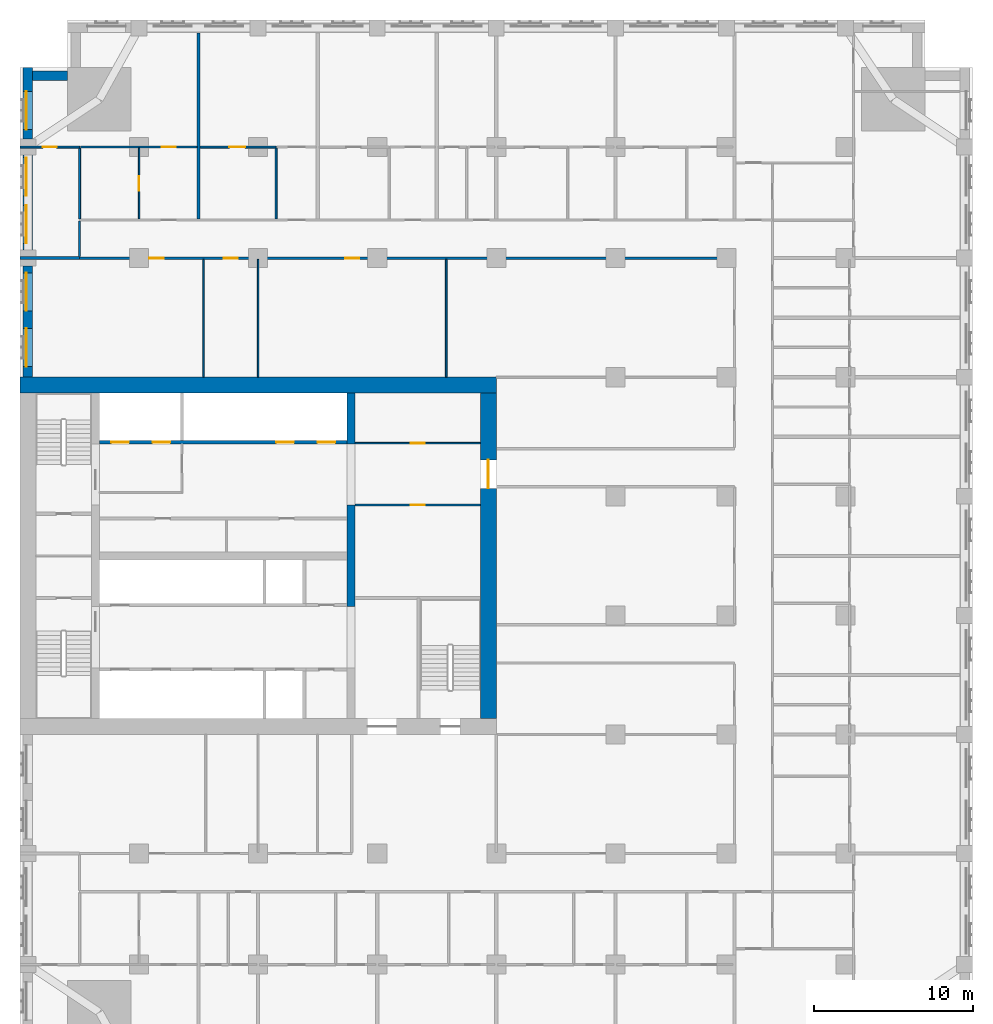
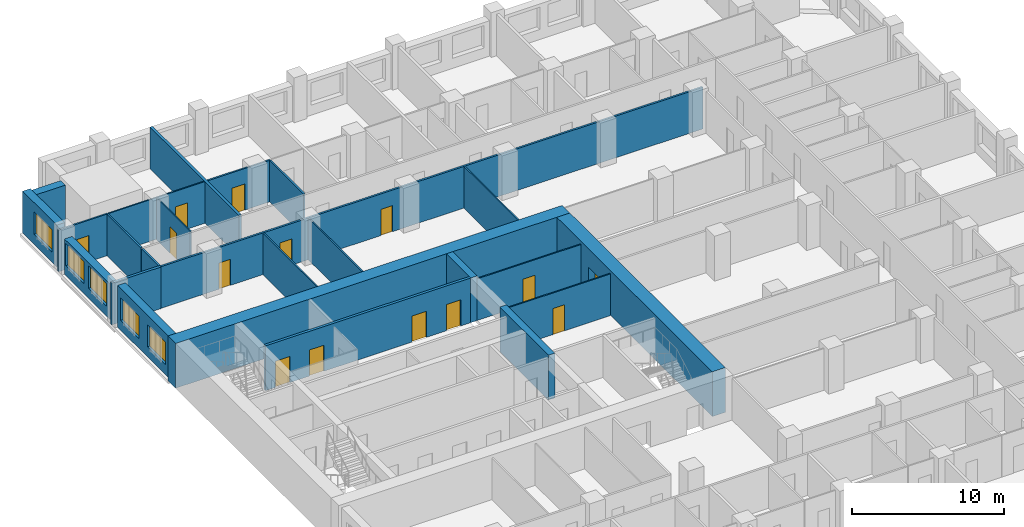
# One storey, part 8 of 14: 24 walls, 14 doors, 5 windows, 19 openings.
"""IFC4 building model written with IfcOpenShell, lengths in metres."""

from ifc_helpers import new_model, si_unit, direction, frame, frame_2d, origin, place, context, subcontext, project, spatial, rectangle, extrude, material, layer, layer_set, type_object, element, fill, save


model = new_model("IFC4")

# Units and contexts
model_context = context("Model", 3, precision=1e-05, world=origin(), true_north=direction((0.0, 1.0)))
body_context = subcontext(model_context, "Body", "Model", "MODEL_VIEW")
ifc_project = project(units=[si_unit("LENGTHUNIT", "METRE"), si_unit("AREAUNIT", "SQUARE_METRE"), si_unit("VOLUMEUNIT", "CUBIC_METRE"), si_unit("PLANEANGLEUNIT", "RADIAN"), si_unit("MASSUNIT", "GRAM", prefix="KILO")], contexts=[model_context])

# Site, building, storey
site_placement = place(None, origin())
site = spatial("IfcSite", under=ifc_project, at=site_placement, CompositionType="ELEMENT")
building_placement = place(site_placement, origin())
building = spatial("IfcBuilding", under=site, at=building_placement, Name="Tamorin Gate", CompositionType="ELEMENT")
storey_placement = place(building_placement, frame((0.0, 0.0, 59.199951171875)))
storey = spatial("IfcBuildingStorey", under=building, at=storey_placement, Name="L13", CompositionType="ELEMENT", Elevation=59.199951171875)

# Wall
ifc_material_1 = material(Name="Precast concrete C40/50", Category="concrete")
ifc_layer_1 = layer(ifc_material_1, 0.60009765625)
ifc_layer_set_1 = layer_set([ifc_layer_1], Name="Precast concrete C40/50")
wall_type_1 = type_object("IfcWallType", Name="Board-marked concrete facade panel 600", PredefinedType="SOLIDWALL", material=ifc_layer_set_1)
wall_1_placement = place(storey_placement, frame((33.0, 101.5, 0.0), z_axis=(0.0, 0.0, 1.0), x_axis=(-1.0, 0.0, 0.0)))
element("IfcWall", 1, at=wall_1_placement, inside=storey, type_object=wall_type_1, Name="Facade panel", PredefinedType="SOLIDWALL", context=body_context, shape_type="SweptSolid", body=[
    extrude(rectangle(XDim=2.199951171875, YDim=0.60009765625, at=frame_2d((1.10009765625, 0.0))), origin(), (0.0, 0.0, 1.0), 3.35009765625),
])

# Wall, opening, window
wall_2_placement = place(storey_placement, frame((30.5, 102.0, 0.0), z_axis=(0.0, 0.0, 1.0), x_axis=(0.0, -1.0, 0.0)))
wall_2 = element("IfcWall", 2, at=wall_2_placement, inside=storey, type_object=wall_type_1, Name="Facade panel", PredefinedType="SOLIDWALL", context=body_context, shape_type="SweptSolid", body=[
    extrude(rectangle(XDim=4.5, YDim=0.60009765625, at=frame_2d((2.25, 0.0))), origin(), (0.0, 0.0, 1.0), 3.35009765625),
])
opening_1_placement = place(wall_2_placement, frame((1.5, 0.0, 0.800048828125)))
opening_1 = element("IfcOpeningElement", 3, at=opening_1_placement, cuts=wall_2, Name="Opening WN1", PredefinedType="OPENING", context=body_context, shape_type="SweptSolid", body=[
    extrude(rectangle(XDim=2.39990234375, YDim=1.800048828125, at=frame_2d((1.199951171875, 0.89990234375))), frame((0.0, 0.31005859375, 0.0), z_axis=(0.0, -1.0, 0.0), x_axis=(1.0, 0.0, 0.0)), (0.0, 0.0, 1.0), 0.6201171875),
])
ifc_material_2 = material(Name="Clear glass in aluminium frame", Category="aluminium")
window_type = type_object("IfcWindowType", Name="Deep-set window 2400x1800", PartitioningType="SINGLE_PANEL", PredefinedType="WINDOW", material=ifc_material_2)
window_1_placement = place(opening_1_placement, origin())
window_1 = element("IfcWindow", 4, at=window_1_placement, inside=storey, type_object=window_type, Name="Deep-set window", OverallHeight=1.800048828125, OverallWidth=2.39990234375, PartitioningType="SINGLE_PANEL", PredefinedType="WINDOW", context=body_context, shape_type="SweptSolid", body=[
    extrude(rectangle(XDim=2.39990234375, YDim=1.800048828125, at=frame_2d((1.199951171875, 0.89990234375))), frame((0.0, -0.070068359375, 0.0), z_axis=(0.0, -1.0, 0.0), x_axis=(1.0, 0.0, 0.0)), (0.0, 0.0, 1.0), 0.06005859375),
])
fill(opening_1, window_1)

# Wall, openings, windows
wall_3_placement = place(storey_placement, frame((30.5, 96.5, 0.0), z_axis=(0.0, 0.0, 1.0), x_axis=(0.0, -1.0, 0.0)))
wall_3 = element("IfcWall", 5, at=wall_3_placement, inside=storey, type_object=wall_type_1, Name="Facade panel", PredefinedType="SOLIDWALL", context=body_context, shape_type="SweptSolid", body=[
    extrude(rectangle(XDim=6.0, YDim=0.60009765625, at=frame_2d((3.0, 0.0))), origin(), (0.0, 0.0, 1.0), 2.85009765625),
])
opening_2_placement = place(wall_3_placement, frame((3.175048828125, 0.0, 0.800048828125)))
opening_2 = element("IfcOpeningElement", 6, at=opening_2_placement, cuts=wall_3, Name="Opening WN1", PredefinedType="OPENING", context=body_context, shape_type="SweptSolid", body=[
    extrude(rectangle(XDim=2.39990234375, YDim=1.800048828125, at=frame_2d((1.199951171875, 0.89990234375))), frame((0.0, 0.31005859375, 0.0), z_axis=(0.0, -1.0, 0.0), x_axis=(1.0, 0.0, 0.0)), (0.0, 0.0, 1.0), 0.6201171875),
])
opening_3_placement = place(wall_3_placement, frame((0.175048828125, 0.0, 0.800048828125)))
opening_3 = element("IfcOpeningElement", 7, at=opening_3_placement, cuts=wall_3, Name="Opening WN1", PredefinedType="OPENING", context=body_context, shape_type="SweptSolid", body=[
    extrude(rectangle(XDim=2.39990234375, YDim=1.800048828125, at=frame_2d((1.199951171875, 0.89990234375))), frame((0.0, 0.31005859375, 0.0), z_axis=(0.0, -1.0, 0.0), x_axis=(1.0, 0.0, 0.0)), (0.0, 0.0, 1.0), 0.6201171875),
])
window_2_placement = place(opening_2_placement, origin())
window_2 = element("IfcWindow", 8, at=window_2_placement, inside=storey, type_object=window_type, Name="Deep-set window", OverallHeight=1.800048828125, OverallWidth=2.39990234375, PartitioningType="SINGLE_PANEL", PredefinedType="WINDOW", context=body_context, shape_type="SweptSolid", body=[
    extrude(rectangle(XDim=2.39990234375, YDim=1.800048828125, at=frame_2d((1.199951171875, 0.89990234375))), frame((0.0, -0.070068359375, 0.0), z_axis=(0.0, -1.0, 0.0), x_axis=(1.0, 0.0, 0.0)), (0.0, 0.0, 1.0), 0.06005859375),
])
fill(opening_2, window_2)
window_3_placement = place(opening_3_placement, origin())
window_3 = element("IfcWindow", 9, at=window_3_placement, inside=storey, type_object=window_type, Name="Deep-set window", OverallHeight=1.800048828125, OverallWidth=2.39990234375, PartitioningType="SINGLE_PANEL", PredefinedType="WINDOW", context=body_context, shape_type="SweptSolid", body=[
    extrude(rectangle(XDim=2.39990234375, YDim=1.800048828125, at=frame_2d((1.199951171875, 0.89990234375))), frame((0.0, -0.070068359375, 0.0), z_axis=(0.0, -1.0, 0.0), x_axis=(1.0, 0.0, 0.0)), (0.0, 0.0, 1.0), 0.06005859375),
])
fill(opening_3, window_3)

wall_4_placement = place(storey_placement, frame((30.5, 89.5, 0.0), z_axis=(0.0, 0.0, 1.0), x_axis=(0.0, -1.0, 0.0)))
wall_4 = element("IfcWall", 10, at=wall_4_placement, inside=storey, type_object=wall_type_1, Name="Facade panel", PredefinedType="SOLIDWALL", context=body_context, shape_type="SweptSolid", body=[
    extrude(rectangle(XDim=7.0, YDim=0.60009765625, at=frame_2d((3.5, 0.0))), origin(), (0.0, 0.0, 1.0), 3.35009765625),
])
opening_4_placement = place(wall_4_placement, frame((3.925048828125, 0.0, 0.800048828125)))
opening_4 = element("IfcOpeningElement", 11, at=opening_4_placement, cuts=wall_4, Name="Opening WN1", PredefinedType="OPENING", context=body_context, shape_type="SweptSolid", body=[
    extrude(rectangle(XDim=2.39990234375, YDim=1.800048828125, at=frame_2d((1.199951171875, 0.89990234375))), frame((0.0, 0.31005859375, 0.0), z_axis=(0.0, -1.0, 0.0), x_axis=(1.0, 0.0, 0.0)), (0.0, 0.0, 1.0), 0.6201171875),
])
opening_5_placement = place(wall_4_placement, frame((0.425048828125, 0.0, 0.800048828125)))
opening_5 = element("IfcOpeningElement", 12, at=opening_5_placement, cuts=wall_4, Name="Opening WN1", PredefinedType="OPENING", context=body_context, shape_type="SweptSolid", body=[
    extrude(rectangle(XDim=2.39990234375, YDim=1.800048828125, at=frame_2d((1.199951171875, 0.89990234375))), frame((0.0, 0.31005859375, 0.0), z_axis=(0.0, -1.0, 0.0), x_axis=(1.0, 0.0, 0.0)), (0.0, 0.0, 1.0), 0.6201171875),
])
window_4_placement = place(opening_4_placement, origin())
window_4 = element("IfcWindow", 13, at=window_4_placement, inside=storey, type_object=window_type, Name="Deep-set window", OverallHeight=1.800048828125, OverallWidth=2.39990234375, PartitioningType="SINGLE_PANEL", PredefinedType="WINDOW", context=body_context, shape_type="SweptSolid", body=[
    extrude(rectangle(XDim=2.39990234375, YDim=1.800048828125, at=frame_2d((1.199951171875, 0.89990234375))), frame((0.0, -0.070068359375, 0.0), z_axis=(0.0, -1.0, 0.0), x_axis=(1.0, 0.0, 0.0)), (0.0, 0.0, 1.0), 0.06005859375),
])
fill(opening_4, window_4)
window_5_placement = place(opening_5_placement, origin())
window_5 = element("IfcWindow", 14, at=window_5_placement, inside=storey, type_object=window_type, Name="Deep-set window", OverallHeight=1.800048828125, OverallWidth=2.39990234375, PartitioningType="SINGLE_PANEL", PredefinedType="WINDOW", context=body_context, shape_type="SweptSolid", body=[
    extrude(rectangle(XDim=2.39990234375, YDim=1.800048828125, at=frame_2d((1.199951171875, 0.89990234375))), frame((0.0, -0.070068359375, 0.0), z_axis=(0.0, -1.0, 0.0), x_axis=(1.0, 0.0, 0.0)), (0.0, 0.0, 1.0), 0.06005859375),
])
fill(opening_5, window_5)

# Wall, openings, doors
ifc_material_3 = material(Name="Gypsum board partition")
ifc_layer_2 = layer(ifc_material_3, 0.14990234375)
ifc_layer_set_2 = layer_set([ifc_layer_2], Name="Corridor wall 150")
wall_type_2 = type_object("IfcWallType", Name="Corridor wall 150", PredefinedType="PARTITIONING", material=ifc_layer_set_2)
wall_5_placement = place(storey_placement, frame((33.75, 90.0, 0.0), z_axis=(0.0, 0.0, 1.0), x_axis=(1.0, 0.0, 0.0)))
wall_5 = element("IfcWall", 15, at=wall_5_placement, inside=storey, type_object=wall_type_2, Name="Corridor wall 150", PredefinedType="PARTITIONING", context=body_context, shape_type="SweptSolid", body=[
    extrude(rectangle(XDim=41.25, YDim=0.14990234375, at=frame_2d((20.625, 0.0))), origin(), (0.0, 0.0, 1.0), 3.35009765625),
])
opening_6_placement = place(wall_5_placement, frame((4.39990234375, 0.0, 0.0)))
opening_6 = element("IfcOpeningElement", 16, at=opening_6_placement, cuts=wall_5, Name="Opening DH4077", PredefinedType="OPENING", context=body_context, shape_type="SweptSolid", body=[
    extrude(rectangle(XDim=0.89990234375, YDim=2.10009765625, at=frame_2d((0.449951171875, 1.050048828125))), frame((0.0, 0.0849609375, 0.0), z_axis=(0.0, -1.0, 0.0), x_axis=(1.0, 0.0, 0.0)), (0.0, 0.0, 1.0), 0.169921875),
])
opening_7_placement = place(wall_5_placement, frame((9.074951171875, 0.0, 0.0)))
opening_7 = element("IfcOpeningElement", 17, at=opening_7_placement, cuts=wall_5, Name="Opening DH4078", PredefinedType="OPENING", context=body_context, shape_type="SweptSolid", body=[
    extrude(rectangle(XDim=0.89990234375, YDim=2.10009765625, at=frame_2d((0.449951171875, 1.050048828125))), frame((0.0, 0.0849609375, 0.0), z_axis=(0.0, -1.0, 0.0), x_axis=(1.0, 0.0, 0.0)), (0.0, 0.0, 1.0), 0.169921875),
])
opening_8_placement = place(wall_5_placement, frame((16.72509765625, 0.0, 0.0)))
opening_8 = element("IfcOpeningElement", 18, at=opening_8_placement, cuts=wall_5, Name="Opening DH4079", PredefinedType="OPENING", context=body_context, shape_type="SweptSolid", body=[
    extrude(rectangle(XDim=0.89990234375, YDim=2.10009765625, at=frame_2d((0.449951171875, 1.050048828125))), frame((0.0, 0.0849609375, 0.0), z_axis=(0.0, -1.0, 0.0), x_axis=(1.0, 0.0, 0.0)), (0.0, 0.0, 1.0), 0.169921875),
])
ifc_material_4 = material(Name="Timber door leaf", Category="wood")
door_type_1 = type_object("IfcDoorType", Name="Door 900 x 2100 FD30S", OperationType="NOTDEFINED", PredefinedType="DOOR", material=ifc_material_4)
door_1_placement = place(opening_6_placement, origin())
door_1 = element("IfcDoor", 19, at=door_1_placement, inside=storey, type_object=door_type_1, Name="Door DH4077", OperationType="SINGLE_SWING_LEFT", OverallHeight=2.10009765625, OverallWidth=0.89990234375, PredefinedType="DOOR", context=body_context, shape_type="SweptSolid", body=[
    extrude(rectangle(XDim=0.89990234375, YDim=2.10009765625, at=frame_2d((0.449951171875, 1.050048828125))), frame((0.0, 0.02490234375, 0.0), z_axis=(0.0, -1.0, 0.0), x_axis=(1.0, 0.0, 0.0)), (0.0, 0.0, 1.0), 0.050048828125),
])
fill(opening_6, door_1)
door_2_placement = place(opening_7_placement, origin())
door_2 = element("IfcDoor", 20, at=door_2_placement, inside=storey, type_object=door_type_1, Name="Door DH4078", OperationType="SINGLE_SWING_RIGHT", OverallHeight=2.10009765625, OverallWidth=0.89990234375, PredefinedType="DOOR", context=body_context, shape_type="SweptSolid", body=[
    extrude(rectangle(XDim=0.89990234375, YDim=2.10009765625, at=frame_2d((0.449951171875, 1.050048828125))), frame((0.0, 0.02490234375, 0.0), z_axis=(0.0, -1.0, 0.0), x_axis=(1.0, 0.0, 0.0)), (0.0, 0.0, 1.0), 0.050048828125),
])
fill(opening_7, door_2)
door_3_placement = place(opening_8_placement, origin())
door_3 = element("IfcDoor", 21, at=door_3_placement, inside=storey, type_object=door_type_1, Name="Door DH4079", OperationType="SINGLE_SWING_RIGHT", OverallHeight=2.10009765625, OverallWidth=0.89990234375, PredefinedType="DOOR", context=body_context, shape_type="SweptSolid", body=[
    extrude(rectangle(XDim=0.89990234375, YDim=2.10009765625, at=frame_2d((0.449951171875, 1.050048828125))), frame((0.0, 0.02490234375, 0.0), z_axis=(0.0, -1.0, 0.0), x_axis=(1.0, 0.0, 0.0)), (0.0, 0.0, 1.0), 0.050048828125),
])
fill(opening_8, door_3)

# Walls
wall_6_placement = place(storey_placement, frame((33.75, 90.10009765625, 0.0), z_axis=(0.0, 0.0, 1.0), x_axis=(0.0, 1.0, 0.0)))
element("IfcWall", 22, at=wall_6_placement, inside=storey, type_object=wall_type_2, Name="Corridor wall 150", PredefinedType="PARTITIONING", context=body_context, shape_type="SweptSolid", body=[
    extrude(rectangle(XDim=2.224853515625, YDim=0.14990234375, at=frame_2d((1.1123046875, 0.0))), origin(), (0.0, 0.0, 1.0), 3.35009765625),
])
ifc_layer_3 = layer(ifc_material_3, 0.199951171875)
ifc_layer_set_3 = layer_set([ifc_layer_3], Name="Demising wall 200")
wall_type_3 = type_object("IfcWallType", Name="Demising wall 200", PredefinedType="PARTITIONING", material=ifc_layer_set_3)
wall_7_placement = place(storey_placement, frame((30.0, 90.0, 0.0), z_axis=(0.0, 0.0, 1.0), x_axis=(1.0, 0.0, 0.0)))
element("IfcWall", 23, at=wall_7_placement, inside=storey, type_object=wall_type_3, Name="Demising wall 200", PredefinedType="PARTITIONING", context=body_context, shape_type="SweptSolid", body=[
    extrude(rectangle(XDim=3.75, YDim=0.199951171875, at=frame_2d((1.875, 0.0))), origin(), (0.0, 0.0, 1.0), 3.35009765625),
])
wall_8_placement = place(storey_placement, frame((41.25, 92.47509765625, 0.0), z_axis=(0.0, 0.0, 1.0), x_axis=(0.0, 1.0, 0.0)))
element("IfcWall", 24, at=wall_8_placement, inside=storey, type_object=wall_type_3, Name="Demising wall 200", PredefinedType="PARTITIONING", context=body_context, shape_type="SweptSolid", body=[
    extrude(rectangle(XDim=11.71484375, YDim=0.199951171875, at=frame_2d((5.857421875, 0.0))), origin(), (0.0, 0.0, 1.0), 3.35009765625),
])

# Wall, openings, doors
ifc_material_5 = material(Name="Concrete C32/40", Category="concrete")
ifc_layer_4 = layer(ifc_material_5, 0.199951171875)
ifc_layer_set_4 = layer_set([ifc_layer_4], Name="Lift lobby face wall 200 EI 120")
wall_type_4 = type_object("IfcWallType", Name="Lift lobby face wall 200 EI 120", PredefinedType="SOLIDWALL", material=ifc_layer_set_4)
wall_9_placement = place(storey_placement, frame((35.0, 78.39990234375, 0.0), z_axis=(0.0, 0.0, 1.0), x_axis=(1.0, 0.0, 0.0)))
wall_9 = element("IfcWall", 25, at=wall_9_placement, inside=storey, type_object=wall_type_4, Name="Lift lobby face wall", PredefinedType="SOLIDWALL", context=body_context, shape_type="SweptSolid", body=[
    extrude(rectangle(XDim=15.60009765625, YDim=0.199951171875, at=frame_2d((7.800048828125, 0.0))), origin(), (0.0, 0.0, 1.0), 3.60009765625),
])
opening_9_placement = place(wall_9_placement, frame((0.75, 0.0, 0.0)))
opening_9 = element("IfcOpeningElement", 26, at=opening_9_placement, cuts=wall_9, Name="Opening LD17", PredefinedType="OPENING", context=body_context, shape_type="SweptSolid", body=[
    extrude(rectangle(XDim=1.10009765625, YDim=2.10009765625, at=frame_2d((0.550048828125, 1.050048828125))), frame((0.0, 0.10986328125, 0.0), z_axis=(0.0, -1.0, 0.0), x_axis=(1.0, 0.0, 0.0)), (0.0, 0.0, 1.0), 0.219970703125),
])
opening_10_placement = place(wall_9_placement, frame((3.35009765625, 0.0, 0.0)))
opening_10 = element("IfcOpeningElement", 27, at=opening_10_placement, cuts=wall_9, Name="Opening LD18", PredefinedType="OPENING", context=body_context, shape_type="SweptSolid", body=[
    extrude(rectangle(XDim=1.10009765625, YDim=2.10009765625, at=frame_2d((0.550048828125, 1.050048828125))), frame((0.0, 0.10986328125, 0.0), z_axis=(0.0, -1.0, 0.0), x_axis=(1.0, 0.0, 0.0)), (0.0, 0.0, 1.0), 0.219970703125),
])
opening_11_placement = place(wall_9_placement, frame((11.14990234375, 0.0, 0.0)))
opening_11 = element("IfcOpeningElement", 28, at=opening_11_placement, cuts=wall_9, Name="Opening LD21", PredefinedType="OPENING", context=body_context, shape_type="SweptSolid", body=[
    extrude(rectangle(XDim=1.10009765625, YDim=2.10009765625, at=frame_2d((0.550048828125, 1.050048828125))), frame((0.0, 0.10986328125, 0.0), z_axis=(0.0, -1.0, 0.0), x_axis=(1.0, 0.0, 0.0)), (0.0, 0.0, 1.0), 0.219970703125),
])
opening_12_placement = place(wall_9_placement, frame((13.75, 0.0, 0.0)))
opening_12 = element("IfcOpeningElement", 29, at=opening_12_placement, cuts=wall_9, Name="Opening LD22", PredefinedType="OPENING", context=body_context, shape_type="SweptSolid", body=[
    extrude(rectangle(XDim=1.10009765625, YDim=2.10009765625, at=frame_2d((0.550048828125, 1.050048828125))), frame((0.0, 0.10986328125, 0.0), z_axis=(0.0, -1.0, 0.0), x_axis=(1.0, 0.0, 0.0)), (0.0, 0.0, 1.0), 0.219970703125),
])
ifc_material_6 = material(Name="Stainless steel sliding door", Category="steel")
door_type_2 = type_object("IfcDoorType", Name="Lift landing door 1100 x 2100 E 90", OperationType="DOUBLE_DOOR_SLIDING", PredefinedType="DOOR", material=ifc_material_6)
door_4_placement = place(opening_9_placement, origin())
door_4 = element("IfcDoor", 30, at=door_4_placement, inside=storey, type_object=door_type_2, Name="FF1 landing door", OperationType="DOUBLE_DOOR_SLIDING", OverallHeight=2.10009765625, OverallWidth=1.10009765625, PredefinedType="DOOR", context=body_context, shape_type="SweptSolid", body=[
    extrude(rectangle(XDim=1.10009765625, YDim=2.10009765625, at=frame_2d((0.550048828125, 1.050048828125))), frame((0.0, 0.02490234375, 0.0), z_axis=(0.0, -1.0, 0.0), x_axis=(1.0, 0.0, 0.0)), (0.0, 0.0, 1.0), 0.050048828125),
])
fill(opening_9, door_4)
door_5_placement = place(opening_10_placement, origin())
door_5 = element("IfcDoor", 31, at=door_5_placement, inside=storey, type_object=door_type_2, Name="FF2 landing door", OperationType="DOUBLE_DOOR_SLIDING", OverallHeight=2.10009765625, OverallWidth=1.10009765625, PredefinedType="DOOR", context=body_context, shape_type="SweptSolid", body=[
    extrude(rectangle(XDim=1.10009765625, YDim=2.10009765625, at=frame_2d((0.550048828125, 1.050048828125))), frame((0.0, 0.02490234375, 0.0), z_axis=(0.0, -1.0, 0.0), x_axis=(1.0, 0.0, 0.0)), (0.0, 0.0, 1.0), 0.050048828125),
])
fill(opening_10, door_5)
door_6_placement = place(opening_11_placement, origin())
door_6 = element("IfcDoor", 32, at=door_6_placement, inside=storey, type_object=door_type_2, Name="SV1 landing door", OperationType="DOUBLE_DOOR_SLIDING", OverallHeight=2.10009765625, OverallWidth=1.10009765625, PredefinedType="DOOR", context=body_context, shape_type="SweptSolid", body=[
    extrude(rectangle(XDim=1.10009765625, YDim=2.10009765625, at=frame_2d((0.550048828125, 1.050048828125))), frame((0.0, 0.02490234375, 0.0), z_axis=(0.0, -1.0, 0.0), x_axis=(1.0, 0.0, 0.0)), (0.0, 0.0, 1.0), 0.050048828125),
])
fill(opening_11, door_6)
door_7_placement = place(opening_12_placement, origin())
door_7 = element("IfcDoor", 33, at=door_7_placement, inside=storey, type_object=door_type_2, Name="SV2 landing door", OperationType="DOUBLE_DOOR_SLIDING", OverallHeight=2.10009765625, OverallWidth=1.10009765625, PredefinedType="DOOR", context=body_context, shape_type="SweptSolid", body=[
    extrude(rectangle(XDim=1.10009765625, YDim=2.10009765625, at=frame_2d((0.550048828125, 1.050048828125))), frame((0.0, 0.02490234375, 0.0), z_axis=(0.0, -1.0, 0.0), x_axis=(1.0, 0.0, 0.0)), (0.0, 0.0, 1.0), 0.050048828125),
])
fill(opening_12, door_7)

# Walls
ifc_material_7 = material(Name="Concrete C80/95", Category="concrete")
ifc_layer_5 = layer(ifc_material_7, 0.5)
ifc_layer_set_5 = layer_set([ifc_layer_5], Name="RC core internal wall 500 C80/95")
wall_type_5 = type_object("IfcWallType", Name="RC core internal wall 500 C80/95", PredefinedType="SHEAR", material=ifc_layer_set_5)
wall_10_placement = place(storey_placement, frame((50.85009765625, 68.050048828125, 0.0), z_axis=(0.0, 0.0, 1.0), x_axis=(0.0, 1.0, 0.0)))
element("IfcWall", 34, at=wall_10_placement, inside=storey, type_object=wall_type_5, Name="Core cross wall L13", PredefinedType="SHEAR", context=body_context, shape_type="SweptSolid", body=[
    extrude(rectangle(XDim=6.39990234375, YDim=0.5, at=frame_2d((3.199951171875, 0.0))), origin(), (0.0, 0.0, 1.0), 3.60009765625),
])
wall_11_placement = place(storey_placement, frame((50.85009765625, 78.300048828125, 0.0), z_axis=(0.0, 0.0, 1.0), x_axis=(0.0, 1.0, 0.0)))
element("IfcWall", 35, at=wall_11_placement, inside=storey, type_object=wall_type_5, Name="Core cross wall L13", PredefinedType="SHEAR", context=body_context, shape_type="SweptSolid", body=[
    extrude(rectangle(XDim=3.199951171875, YDim=0.5, at=frame_2d((1.60009765625, 0.0))), origin(), (0.0, 0.0, 1.0), 3.60009765625),
])
ifc_layer_6 = layer(ifc_material_7, 1.0)
ifc_layer_set_6 = layer_set([ifc_layer_6], Name="RC core wall 1000 C80/95")
wall_type_6 = type_object("IfcWallType", Name="RC core wall 1000 C80/95", PredefinedType="SHEAR", material=ifc_layer_set_6)
wall_12_placement = place(storey_placement, frame((30.0, 82.0, 0.0), z_axis=(0.0, 0.0, 1.0), x_axis=(1.0, 0.0, 0.0)))
element("IfcWall", 36, at=wall_12_placement, inside=storey, type_object=wall_type_6, Name="Core wall L13", PredefinedType="SHEAR", context=body_context, shape_type="SweptSolid", body=[
    extrude(rectangle(XDim=30.0, YDim=1.0, at=frame_2d((15.0, 0.0))), origin(), (0.0, 0.0, 1.0), 3.60009765625),
])

# Wall, opening, door
wall_13_placement = place(storey_placement, frame((59.5, 61.0, 0.0), z_axis=(0.0, 0.0, 1.0), x_axis=(0.0, 1.0, 0.0)))
wall_13 = element("IfcWall", 37, at=wall_13_placement, inside=storey, type_object=wall_type_6, Name="Core wall L13", PredefinedType="SHEAR", context=body_context, shape_type="SweptSolid", body=[
    extrude(rectangle(XDim=20.5, YDim=1.0, at=frame_2d((10.25, 0.0))), origin(), (0.0, 0.0, 1.0), 3.60009765625),
])
opening_13_placement = place(wall_13_placement, frame((14.5, 0.0, 0.0)))
opening_13 = element("IfcOpeningElement", 38, at=opening_13_placement, cuts=wall_13, Name="Opening DE1", PredefinedType="OPENING", context=body_context, shape_type="SweptSolid", body=[
    extrude(rectangle(XDim=1.800048828125, YDim=2.10009765625, at=frame_2d((0.89990234375, 1.050048828125))), frame((0.0, 0.510009765625, 0.0), z_axis=(0.0, -1.0, 0.0), x_axis=(1.0, 0.0, 0.0)), (0.0, 0.0, 1.0), 1.02001953125),
])
ifc_material_8 = material(Name="Steel fire door", Category="steel")
door_type_3 = type_object("IfcDoorType", Name="Lobby exit double door 1800 x 2100 EI 60", OperationType="DOUBLE_DOOR_SINGLE_SWING", PredefinedType="DOOR", material=ifc_material_8)
door_8_placement = place(opening_13_placement, origin())
door_8 = element("IfcDoor", 39, at=door_8_placement, inside=storey, type_object=door_type_3, Name="Lift lobby B exit door", OperationType="DOUBLE_DOOR_SINGLE_SWING", OverallHeight=2.10009765625, OverallWidth=1.800048828125, PredefinedType="DOOR", context=body_context, shape_type="SweptSolid", body=[
    extrude(rectangle(XDim=1.800048828125, YDim=2.10009765625, at=frame_2d((0.89990234375, 1.050048828125))), frame((0.0, 0.02490234375, 0.0), z_axis=(0.0, -1.0, 0.0), x_axis=(1.0, 0.0, 0.0)), (0.0, 0.0, 1.0), 0.050048828125),
])
fill(opening_13, door_8)

ifc_layer_7 = layer(ifc_material_3, 0.10009765625)
ifc_layer_set_7 = layer_set([ifc_layer_7], Name="Room partition 100")
wall_type_7 = type_object("IfcWallType", Name="Room partition 100", PredefinedType="PARTITIONING", material=ifc_layer_set_7)
wall_14_placement = place(storey_placement, frame((33.8125, 97.0, 0.0), z_axis=(0.0, 0.0, 1.0), x_axis=(1.0, 0.0, 0.0)))
wall_14 = element("IfcWall", 40, at=wall_14_placement, inside=storey, type_object=wall_type_7, Name="Room partition 100", PredefinedType="PARTITIONING", context=body_context, shape_type="SweptSolid", body=[
    extrude(rectangle(XDim=7.33740234375, YDim=0.10009765625, at=frame_2d((3.668701171875, 0.0))), origin(), (0.0, 0.0, 1.0), 3.35009765625),
])
opening_14_placement = place(wall_14_placement, frame((5.112548828125, 0.0, 0.0)))
opening_14 = element("IfcOpeningElement", 41, at=opening_14_placement, cuts=wall_14, Name="Opening DH4023", PredefinedType="OPENING", context=body_context, shape_type="SweptSolid", body=[
    extrude(rectangle(XDim=0.89990234375, YDim=2.10009765625, at=frame_2d((0.449951171875, 1.050048828125))), frame((0.0, 0.06005859375, 0.0), z_axis=(0.0, -1.0, 0.0), x_axis=(1.0, 0.0, 0.0)), (0.0, 0.0, 1.0), 0.1201171875),
])
door_type_4 = type_object("IfcDoorType", Name="Door 900 x 2100", OperationType="NOTDEFINED", PredefinedType="DOOR", material=ifc_material_4)
door_9_placement = place(opening_14_placement, origin())
door_9 = element("IfcDoor", 42, at=door_9_placement, inside=storey, type_object=door_type_4, Name="Door DH4023", OperationType="SINGLE_SWING_RIGHT", OverallHeight=2.10009765625, OverallWidth=0.89990234375, PredefinedType="DOOR", context=body_context, shape_type="SweptSolid", body=[
    extrude(rectangle(XDim=0.89990234375, YDim=2.10009765625, at=frame_2d((0.449951171875, 1.050048828125))), frame((0.0, 0.02490234375, 0.0), z_axis=(0.0, -1.0, 0.0), x_axis=(1.0, 0.0, 0.0)), (0.0, 0.0, 1.0), 0.050048828125),
])
fill(opening_14, door_9)

wall_15_placement = place(storey_placement, frame((37.5, 92.47509765625, 0.0), z_axis=(0.0, 0.0, 1.0), x_axis=(0.0, 1.0, 0.0)))
wall_15 = element("IfcWall", 43, at=wall_15_placement, inside=storey, type_object=wall_type_7, Name="Room partition 100", PredefinedType="PARTITIONING", context=body_context, shape_type="SweptSolid", body=[
    extrude(rectangle(XDim=4.474853515625, YDim=0.10009765625, at=frame_2d((2.2373046875, 0.0))), origin(), (0.0, 0.0, 1.0), 3.35009765625),
])
opening_15_placement = place(wall_15_placement, frame((1.77490234375, 0.0, 0.0)))
opening_15 = element("IfcOpeningElement", 44, at=opening_15_placement, cuts=wall_15, Name="Opening DH4021", PredefinedType="OPENING", context=body_context, shape_type="SweptSolid", body=[
    extrude(rectangle(XDim=0.89990234375, YDim=2.10009765625, at=frame_2d((0.449951171875, 1.050048828125))), frame((0.0, 0.06005859375, 0.0), z_axis=(0.0, -1.0, 0.0), x_axis=(1.0, 0.0, 0.0)), (0.0, 0.0, 1.0), 0.1201171875),
])
door_10_placement = place(opening_15_placement, origin())
door_10 = element("IfcDoor", 45, at=door_10_placement, inside=storey, type_object=door_type_4, Name="Door DH4021", OperationType="SINGLE_SWING_RIGHT", OverallHeight=2.10009765625, OverallWidth=0.89990234375, PredefinedType="DOOR", context=body_context, shape_type="SweptSolid", body=[
    extrude(rectangle(XDim=0.89990234375, YDim=2.10009765625, at=frame_2d((0.449951171875, 1.050048828125))), frame((0.0, 0.02490234375, 0.0), z_axis=(0.0, -1.0, 0.0), x_axis=(1.0, 0.0, 0.0)), (0.0, 0.0, 1.0), 0.050048828125),
])
fill(opening_15, door_10)

# Walls
for number, where, z_axis, x_axis, name in (
    (46, (41.550048828125, 82.5, 0.0), (0.0, 0.0, 1.0), (0.0, 1.0, 0.0), "Room partition 100"),
    (47, (45.0, 82.5, 0.0), (0.0, 0.0, 1.0), (0.0, 1.0, 0.0), "Room partition 100"),
    (48, (56.85009765625, 82.5, 0.0), (0.0, 0.0, 1.0), (0.0, 1.0, 0.0), "Room partition 100"),
):
    element("IfcWall", number, at=place(storey_placement, frame(where, z_axis=z_axis, x_axis=x_axis)), inside=storey, type_object=wall_type_7, Name=name, PredefinedType="PARTITIONING", context=body_context, shape_type="SweptSolid", body=[
        extrude(rectangle(XDim=7.425048828125, YDim=0.10009765625, at=frame_2d((3.71240234375, 0.0))), origin(), (0.0, 0.0, 1.0), 3.35009765625),
    ])

# Wall, opening, door
ifc_layer_8 = layer(ifc_material_3, 0.10009765625)
ifc_layer_set_8 = layer_set([ifc_layer_8], Name="Service room partition 100 EI 60")
wall_type_8 = type_object("IfcWallType", Name="Service room partition 100 EI 60", PredefinedType="PARTITIONING", material=ifc_layer_set_8)
wall_16_placement = place(storey_placement, frame((51.10009765625, 74.449951171875, 0.0), z_axis=(0.0, 0.0, 1.0), x_axis=(1.0, 0.0, 0.0)))
wall_16 = element("IfcWall", 49, at=wall_16_placement, inside=storey, type_object=wall_type_8, Name="Service room wall", PredefinedType="PARTITIONING", context=body_context, shape_type="SweptSolid", body=[
    extrude(rectangle(XDim=7.89990234375, YDim=0.10009765625, at=frame_2d((3.949951171875, 0.0))), origin(), (0.0, 0.0, 1.0), 3.35009765625),
])
opening_16_placement = place(wall_16_placement, frame((3.5, 0.0, 0.0)))
opening_16 = element("IfcOpeningElement", 50, at=opening_16_placement, cuts=wall_16, Name="Opening DR1", PredefinedType="OPENING", context=body_context, shape_type="SweptSolid", body=[
    extrude(rectangle(XDim=0.89990234375, YDim=2.10009765625, at=frame_2d((0.449951171875, 1.050048828125))), frame((0.0, 0.06005859375, 0.0), z_axis=(0.0, -1.0, 0.0), x_axis=(1.0, 0.0, 0.0)), (0.0, 0.0, 1.0), 0.1201171875),
])
door_type_5 = type_object("IfcDoorType", Name="Riser access door 900 x 2100 EI 120", OperationType="SINGLE_SWING_LEFT", PredefinedType="DOOR", material=ifc_material_8)
door_11_placement = place(opening_16_placement, origin())
door_11 = element("IfcDoor", 51, at=door_11_placement, inside=storey, type_object=door_type_5, Name="Duct riser door", OperationType="SINGLE_SWING_LEFT", OverallHeight=2.10009765625, OverallWidth=0.89990234375, PredefinedType="DOOR", context=body_context, shape_type="SweptSolid", body=[
    extrude(rectangle(XDim=0.89990234375, YDim=2.10009765625, at=frame_2d((0.449951171875, 1.050048828125))), frame((0.0, 0.02490234375, 0.0), z_axis=(0.0, -1.0, 0.0), x_axis=(1.0, 0.0, 0.0)), (0.0, 0.0, 1.0), 0.050048828125),
])
fill(opening_16, door_11)

wall_17_placement = place(storey_placement, frame((51.10009765625, 78.35009765625, 0.0), z_axis=(0.0, 0.0, 1.0), x_axis=(1.0, 0.0, 0.0)))
wall_17 = element("IfcWall", 52, at=wall_17_placement, inside=storey, type_object=wall_type_8, Name="Service room wall", PredefinedType="PARTITIONING", context=body_context, shape_type="SweptSolid", body=[
    extrude(rectangle(XDim=7.89990234375, YDim=0.10009765625, at=frame_2d((3.949951171875, 0.0))), origin(), (0.0, 0.0, 1.0), 3.35009765625),
])
opening_17_placement = place(wall_17_placement, frame((3.5, 0.0, 0.0)))
opening_17 = element("IfcOpeningElement", 53, at=opening_17_placement, cuts=wall_17, Name="Opening DK1", PredefinedType="OPENING", context=body_context, shape_type="SweptSolid", body=[
    extrude(rectangle(XDim=0.89990234375, YDim=2.10009765625, at=frame_2d((0.449951171875, 1.050048828125))), frame((0.0, 0.06005859375, 0.0), z_axis=(0.0, -1.0, 0.0), x_axis=(1.0, 0.0, 0.0)), (0.0, 0.0, 1.0), 0.1201171875),
])
ifc_material_9 = material(Name="Timber fire door", Category="wood")
door_type_6 = type_object("IfcDoorType", Name="Service room door 900 x 2100 EI 60", OperationType="SINGLE_SWING_LEFT", PredefinedType="DOOR", material=ifc_material_9)
door_12_placement = place(opening_17_placement, origin())
door_12 = element("IfcDoor", 54, at=door_12_placement, inside=storey, type_object=door_type_6, Name="Door Linen store", OperationType="SINGLE_SWING_LEFT", OverallHeight=2.10009765625, OverallWidth=0.89990234375, PredefinedType="DOOR", context=body_context, shape_type="SweptSolid", body=[
    extrude(rectangle(XDim=0.89990234375, YDim=2.10009765625, at=frame_2d((0.449951171875, 1.050048828125))), frame((0.0, 0.02490234375, 0.0), z_axis=(0.0, -1.0, 0.0), x_axis=(1.0, 0.0, 0.0)), (0.0, 0.0, 1.0), 0.050048828125),
])
fill(opening_17, door_12)

ifc_layer_9 = layer(ifc_material_3, 0.125)
ifc_layer_set_9 = layer_set([ifc_layer_9], Name="Wet wall 125")
wall_type_9 = type_object("IfcWallType", Name="Wet wall 125", PredefinedType="PARTITIONING", material=ifc_layer_set_9)
wall_18_placement = place(storey_placement, frame((30.0, 97.0, 0.0), z_axis=(0.0, 0.0, 1.0), x_axis=(1.0, 0.0, 0.0)))
wall_18 = element("IfcWall", 55, at=wall_18_placement, inside=storey, type_object=wall_type_9, Name="Wet wall 125", PredefinedType="PARTITIONING", context=body_context, shape_type="SweptSolid", body=[
    extrude(rectangle(XDim=3.75, YDim=0.125, at=frame_2d((1.875, 0.0))), origin(), (0.0, 0.0, 1.0), 3.35009765625),
])
opening_18_placement = place(wall_18_placement, frame((1.425048828125, 0.0, 0.0)))
opening_18 = element("IfcOpeningElement", 56, at=opening_18_placement, cuts=wall_18, Name="Opening DH4020", PredefinedType="OPENING", context=body_context, shape_type="SweptSolid", body=[
    extrude(rectangle(XDim=0.89990234375, YDim=2.10009765625, at=frame_2d((0.449951171875, 1.050048828125))), frame((0.0, 0.072509765625, 0.0), z_axis=(0.0, -1.0, 0.0), x_axis=(1.0, 0.0, 0.0)), (0.0, 0.0, 1.0), 0.14501953125),
])
door_13_placement = place(opening_18_placement, origin())
door_13 = element("IfcDoor", 57, at=door_13_placement, inside=storey, type_object=door_type_4, Name="Door DH4020", OperationType="SINGLE_SWING_RIGHT", OverallHeight=2.10009765625, OverallWidth=0.89990234375, PredefinedType="DOOR", context=body_context, shape_type="SweptSolid", body=[
    extrude(rectangle(XDim=0.89990234375, YDim=2.10009765625, at=frame_2d((0.449951171875, 1.050048828125))), frame((0.0, 0.02490234375, 0.0), z_axis=(0.0, -1.0, 0.0), x_axis=(1.0, 0.0, 0.0)), (0.0, 0.0, 1.0), 0.050048828125),
])
fill(opening_18, door_13)

wall_19_placement = place(storey_placement, frame((41.35009765625, 97.0, 0.0), z_axis=(0.0, 0.0, 1.0), x_axis=(1.0, 0.0, 0.0)))
wall_19 = element("IfcWall", 58, at=wall_19_placement, inside=storey, type_object=wall_type_9, Name="Wet wall 125", PredefinedType="PARTITIONING", context=body_context, shape_type="SweptSolid", body=[
    extrude(rectangle(XDim=4.77490234375, YDim=0.125, at=frame_2d((2.387451171875, 0.0))), origin(), (0.0, 0.0, 1.0), 3.35009765625),
])
opening_19_placement = place(wall_19_placement, frame((1.83740234375, 0.0, 0.0)))
opening_19 = element("IfcOpeningElement", 59, at=opening_19_placement, cuts=wall_19, Name="Opening DH4024", PredefinedType="OPENING", context=body_context, shape_type="SweptSolid", body=[
    extrude(rectangle(XDim=1.0, YDim=2.10009765625, at=frame_2d((0.5, 1.050048828125))), frame((0.0, 0.072509765625, 0.0), z_axis=(0.0, -1.0, 0.0), x_axis=(1.0, 0.0, 0.0)), (0.0, 0.0, 1.0), 0.14501953125),
])
door_type_7 = type_object("IfcDoorType", Name="Door 1000 x 2100", OperationType="NOTDEFINED", PredefinedType="DOOR", material=ifc_material_4)
door_14_placement = place(opening_19_placement, origin())
door_14 = element("IfcDoor", 60, at=door_14_placement, inside=storey, type_object=door_type_7, Name="Door DH4024", OperationType="SINGLE_SWING_RIGHT", OverallHeight=2.10009765625, OverallWidth=1.0, PredefinedType="DOOR", context=body_context, shape_type="SweptSolid", body=[
    extrude(rectangle(XDim=1.0, YDim=2.10009765625, at=frame_2d((0.5, 1.050048828125))), frame((0.0, 0.02490234375, 0.0), z_axis=(0.0, -1.0, 0.0), x_axis=(1.0, 0.0, 0.0)), (0.0, 0.0, 1.0), 0.050048828125),
])
fill(opening_19, door_14)

# Walls
for number, where, z_axis, x_axis, name in (
    (61, (33.75, 92.47509765625, 0.0), (0.0, 0.0, 1.0), (0.0, 1.0, 0.0), "Wet wall 125"),
    (62, (46.125, 92.47509765625, 0.0), (0.0, 0.0, 1.0), (0.0, 1.0, 0.0), "Wet wall 125"),
):
    element("IfcWall", number, at=place(storey_placement, frame(where, z_axis=z_axis, x_axis=x_axis)), inside=storey, type_object=wall_type_9, Name=name, PredefinedType="PARTITIONING", context=body_context, shape_type="SweptSolid", body=[
        extrude(rectangle(XDim=4.46240234375, YDim=0.125, at=frame_2d((2.231201171875, 0.0))), origin(), (0.0, 0.0, 1.0), 3.35009765625),
    ])

save(model, "model.ifc")
